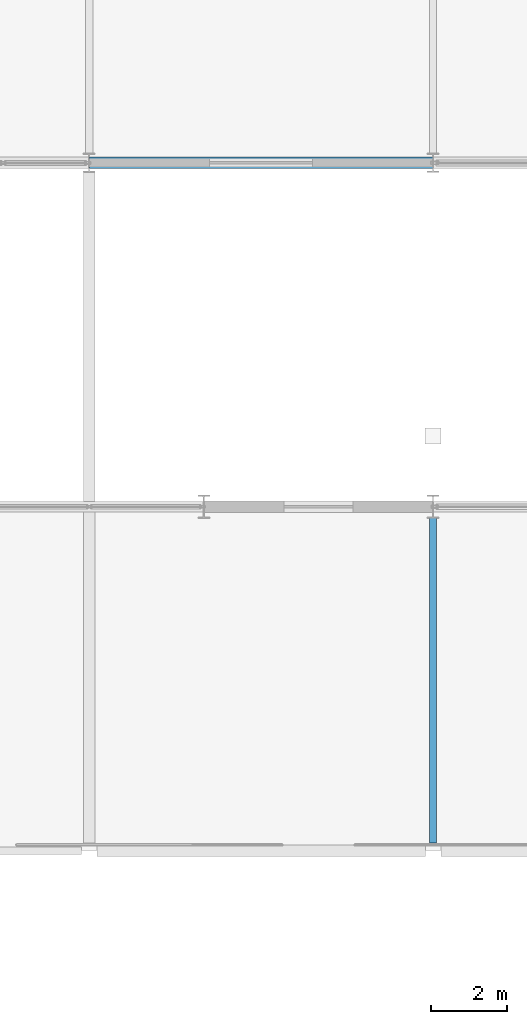
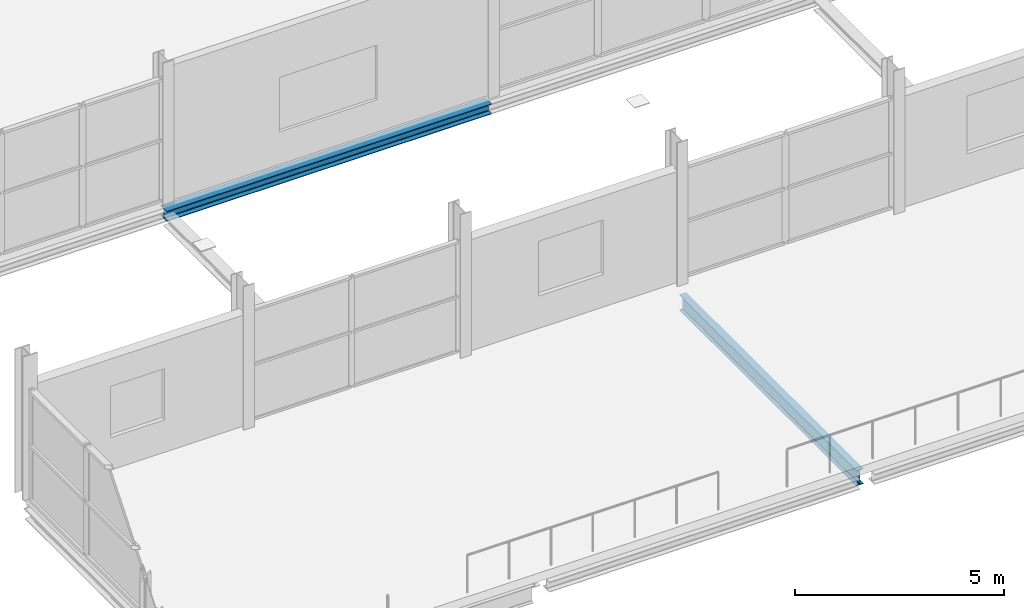
# One storey, part 40 of 135: 2 beams.
"""IFC4 building model written with IfcOpenShell, lengths in metres."""

import ifcopenshell
import ifcopenshell.guid

model = None  # the IFC model being written
_history = None  # IfcOwnerHistory: only IFC2X3 demands one
_inside = {}  # id of a spatial element -> (the spatial element, [elements in it])
_under = {}  # id of a project, library or spatial element -> (it, [spatial elements below it])
_declared = {}  # id of a project -> (the project, [libraries it declares])
_typed = {}  # id of a type object -> (the type object, [elements of that type])
_made_of = {}  # id of a material, layer set ... -> (it, [elements and type objects made of it])


def new_model(schema):
    """Start an empty IFC model of exactly this schema.

    Asked for "IFC4X3", IfcOpenShell would pick the latest addendum, in which some entities
    have other attributes; the version numbers below select the first issue.
    IFC2X3 requires an IfcOwnerHistory on every rooted entity: one is made here for all.
    """
    global model, _history
    if schema == "IFC4X3":
        model = ifcopenshell.file(schema_version=(4, 3, 0, 0))
    else:
        model = ifcopenshell.file(schema=schema)
    _inside.clear()
    _under.clear()
    _declared.clear()
    _typed.clear()
    _made_of.clear()
    _history = None
    if model.schema == "IFC2X3":
        org = make("IfcOrganization", Name="unknown")
        user = make(
            "IfcPersonAndOrganization",
            ThePerson=make("IfcPerson", FamilyName="unknown"),
            TheOrganization=org,
        )
        app = make(
            "IfcApplication",
            ApplicationDeveloper=org,
            Version="unknown",
            ApplicationFullName="unknown",
            ApplicationIdentifier="unknown",
        )
        _history = make(
            "IfcOwnerHistory",
            OwningUser=user,
            OwningApplication=app,
            ChangeAction="ADDED",
            CreationDate=0,
        )
    return model


def make(cls, **values):
    """One entity of the class cls with the attributes given. An attribute that is None is left unset."""
    return model.create_entity(
        cls, **{name: value for name, value in values.items() if value is not None}
    )


def rooted(cls, **values):
    """An entity with a GlobalId (a new one), such as an element, a storey or a relation."""
    return make(cls, GlobalId=ifcopenshell.guid.new(), OwnerHistory=_history, **values)


def si_unit(unit_type, name, prefix=None):
    """IfcSIUnit, for example si_unit("LENGTHUNIT", "METRE", prefix="MILLI")."""
    return make("IfcSIUnit", UnitType=unit_type, Prefix=prefix, Name=name)


def assignment(units):
    """IfcUnitAssignment: the units of a project."""
    return None if units is None else make("IfcUnitAssignment", Units=units)


def point(xyz):
    """IfcCartesianPoint."""
    return None if xyz is None else make("IfcCartesianPoint", Coordinates=xyz)


def direction(xyz):
    """IfcDirection."""
    return None if xyz is None else make("IfcDirection", DirectionRatios=xyz)


def frame(location, z_axis=None, x_axis=None):
    """IfcAxis2Placement3D, a coordinate frame: its origin and axes. An axis left out is left unset."""
    return make(
        "IfcAxis2Placement3D",
        Location=point(location),
        Axis=direction(z_axis),
        RefDirection=direction(x_axis),
    )


def frame_2d(location, x_axis=None):
    """IfcAxis2Placement2D, a coordinate frame in the plane: its origin and x axis."""
    return make(
        "IfcAxis2Placement2D", Location=point(location), RefDirection=direction(x_axis)
    )


def origin():
    """The frame at (0, 0, 0) with its axes left unset."""
    return frame((0.0, 0.0, 0.0))


def origin_2d():
    """The frame at (0, 0) in the plane with its x axis left unset."""
    return frame_2d((0.0, 0.0))


def place(relative_to, where):
    """IfcLocalPlacement: puts the frame where relative to a parent placement (None: the world)."""
    return make(
        "IfcLocalPlacement", PlacementRelTo=relative_to, RelativePlacement=where
    )


def context(
    kind, dimensions, precision=None, world=None, true_north=None, identifier=None
):
    """IfcGeometricRepresentationContext, for example the 3D "Model" context."""
    return make(
        "IfcGeometricRepresentationContext",
        ContextIdentifier=identifier,
        ContextType=kind,
        CoordinateSpaceDimension=dimensions,
        Precision=precision,
        WorldCoordinateSystem=world,
        TrueNorth=true_north,
    )


def subcontext(parent, identifier, kind, view, scale=None):
    """IfcGeometricRepresentationSubContext, for example "Body" below "Model"."""
    return make(
        "IfcGeometricRepresentationSubContext",
        ContextIdentifier=identifier,
        ContextType=kind,
        ParentContext=parent,
        TargetScale=scale,
        TargetView=view,
    )


def project(units=None, contexts=None):
    """IfcProject with its units and contexts."""
    return rooted(
        "IfcProject",
        Name="project",
        RepresentationContexts=contexts,
        UnitsInContext=assignment(units),
    )


def spatial(cls, under=None, at=None, **own):
    """A site, building, storey or space (cls), placed at a placement, below another one or the project."""
    s = rooted(cls, ObjectPlacement=at, **own)
    if under is not None:
        _under.setdefault(under.id(), (under, []))[1].append(s)
    return s


def profile(cls, at=None, kind="AREA", **sizes):
    """A parametric profile (cls). Its sizes go by their IFC names, for example OverallWidth=200.0."""
    return make(cls, ProfileType=kind, Position=at, **sizes)


def i_section(**sizes):
    """IfcIShapeProfileDef."""
    return profile("IfcIShapeProfileDef", **sizes)


def extrude(swept, where, along, depth):
    """IfcExtrudedAreaSolid: the profile swept, set in the frame where, extruded along a direction by depth."""
    return make(
        "IfcExtrudedAreaSolid",
        SweptArea=swept,
        Position=where,
        ExtrudedDirection=direction(along),
        Depth=depth,
    )


def shape(context_of_items, identifier, shape_type, items):
    """IfcShapeRepresentation: the items that make up one representation, for example the "Body"."""
    return make(
        "IfcShapeRepresentation",
        ContextOfItems=context_of_items,
        RepresentationIdentifier=identifier,
        RepresentationType=shape_type,
        Items=items,
    )


def material(Name=None, Category=None):
    """IfcMaterial."""
    return make("IfcMaterial", Name=Name, Category=Category)


def material_profile(
    of_material, cross_section, Name=None, Category=None, Priority=None
):
    """IfcMaterialProfile: a cross section and its material."""
    return make(
        "IfcMaterialProfile",
        Name=Name,
        Material=of_material,
        Profile=cross_section,
        Priority=Priority,
        Category=Category,
    )


def profile_set(profiles, Name=None, composite=None):
    """IfcMaterialProfileSet."""
    return make(
        "IfcMaterialProfileSet",
        Name=Name,
        MaterialProfiles=profiles,
        CompositeProfile=composite,
    )


def made_of(thing, what):
    """Note that an element or type object is made of a material, layer set ...; save() writes the relation."""
    if what is not None:
        _made_of.setdefault(what.id(), (what, []))[1].append(thing)
    return thing


def type_object(cls, material=None, **own):
    """A type object (cls), such as IfcWallType, which elements share."""
    return made_of(rooted(cls, **own), material)


def element(
    cls,
    number,
    at=None,
    inside=None,
    cuts=None,
    type_object=None,
    material=None,
    context=None,
    identifier="Body",
    shape_type=None,
    held_by="IfcProductDefinitionShape",
    body=None,
    shapes=None,
    **own,
):
    """One element of the class cls, such as IfcWall. Its Tag is "e" and its number.

    at: its placement. inside: the storey or other place that contains it. cuts: it is an
    opening in that element (IfcRelVoidsElement). A single representation is given by context,
    identifier, shape_type and body (its items); several are given by shapes. held_by: the class
    of the entity that holds the representations. save() writes the other relations.
    """
    e = rooted(cls, Tag="e%d" % number, ObjectPlacement=at, **own)
    if body is not None:
        shapes = [shape(context, identifier, shape_type, body)]
    if shapes is not None:
        e.Representation = make(held_by, Representations=shapes)
    if inside is not None:
        _inside.setdefault(inside.id(), (inside, []))[1].append(e)
    if cuts is not None:
        rooted(
            "IfcRelVoidsElement", RelatingBuildingElement=cuts, RelatedOpeningElement=e
        )
    if type_object is not None:
        _typed.setdefault(type_object.id(), (type_object, []))[1].append(e)
    return made_of(e, material)


def aggregate(whole, parts):
    """IfcRelAggregates: a whole, such as a stair, and the parts it consists of."""
    return rooted("IfcRelAggregates", RelatingObject=whole, RelatedObjects=parts)


def save(model, path):
    """Write the relations noted so far, then the file.

    IfcRelAggregates (storeys below a building ...), IfcRelContainedInSpatialStructure (elements
    in a storey), IfcRelDefinesByType, IfcRelAssociatesMaterial and IfcRelDeclares: one each for
    every whole, place, type object, material and project.
    """
    for whole, parts in _under.values():
        aggregate(whole, parts)
    for where, things in _inside.values():
        rooted(
            "IfcRelContainedInSpatialStructure",
            RelatedElements=things,
            RelatingStructure=where,
        )
    for kind, things in _typed.values():
        rooted("IfcRelDefinesByType", RelatedObjects=things, RelatingType=kind)
    for what, things in _made_of.values():
        rooted("IfcRelAssociatesMaterial", RelatedObjects=things, RelatingMaterial=what)
    for by, libraries in _declared.values():
        rooted("IfcRelDeclares", RelatingContext=by, RelatedDefinitions=libraries)
    model.write(path)


model = new_model("IFC4")

# Units and contexts
model_context = context("Model", 3, precision=1e-05, world=origin(), true_north=direction((0.0, 1.0)))
body_context = subcontext(model_context, "Body", "Model", "MODEL_VIEW")
ifc_project = project(units=[si_unit("LENGTHUNIT", "METRE"), si_unit("AREAUNIT", "SQUARE_METRE"), si_unit("VOLUMEUNIT", "CUBIC_METRE"), si_unit("PLANEANGLEUNIT", "RADIAN"), si_unit("MASSUNIT", "GRAM", prefix="KILO")], contexts=[model_context])

# Site, building, storey
site_placement = place(None, origin())
site = spatial("IfcSite", under=ifc_project, at=site_placement, CompositionType="ELEMENT")
building_placement = place(site_placement, origin())
building = spatial("IfcBuilding", under=site, at=building_placement, Name="Deido Ridge Mobility Hub", CompositionType="ELEMENT")
storey_placement = place(building_placement, frame((0.0, 0.0, 4.199951171875)))
storey = spatial("IfcBuildingStorey", under=building, at=storey_placement, Name="L01", CompositionType="ELEMENT", Elevation=4.199951171875)

# Beams
ifc_material = material(Name="Steel S355J2 EN 10025-2", Category="steel")
ifc_material_profile_1 = material_profile(ifc_material, i_section(OverallWidth=0.18994140625, OverallDepth=0.449951171875, WebThickness=0.009521484375, FlangeThickness=0.0146484375, FilletRadius=0.02099609375, at=origin_2d()), Name="IPE 450")
ifc_profile_set_1 = profile_set([ifc_material_profile_1], Name="Steel S355J2 EN 10025-2")
beam_type_1 = type_object("IfcBeamType", Name="BM-IPE450", PredefinedType="BEAM", material=ifc_profile_set_1)
beam_1_placement = place(storey_placement, frame((18.0, 27.203125, -0.474853515625), z_axis=(0.0, 1.0, 0.0), x_axis=(-1.0, 0.0, 0.0)))
element("IfcBeam", 1, at=beam_1_placement, inside=storey, type_object=beam_type_1, Name="Floor beam B4", PredefinedType="BEAM", context=body_context, shape_type="SweptSolid", body=[
    extrude(i_section(OverallWidth=0.18994140625, OverallDepth=0.449951171875, WebThickness=0.009521484375, FlangeThickness=0.0146484375, FilletRadius=0.02099609375, at=origin_2d()), origin(), (0.0, 0.0, 1.0), 8.496826171875),
])
ifc_material_profile_2 = material_profile(ifc_material, i_section(OverallWidth=0.300048828125, OverallDepth=0.300048828125, WebThickness=0.010986328125, FlangeThickness=0.01904296875, FilletRadius=0.027099609375, at=origin_2d()), Name="HEB 300")
ifc_profile_set_2 = profile_set([ifc_material_profile_2], Name="Steel S355J2 EN 10025-2")
beam_type_2 = type_object("IfcBeamType", Name="SPD-HEB300", PredefinedType="SPANDREL", material=ifc_profile_set_2)
beam_2_placement = place(storey_placement, frame((9.00732421875, 45.0, -0.39990234375), z_axis=(1.0, 0.0, 0.0), x_axis=(0.0, 1.0, 0.0)))
element("IfcBeam", 2, at=beam_2_placement, inside=storey, type_object=beam_type_2, Name="Floor beam SP1", PredefinedType="SPANDREL", context=body_context, shape_type="SweptSolid", body=[
    extrude(i_section(OverallWidth=0.300048828125, OverallDepth=0.300048828125, WebThickness=0.010986328125, FlangeThickness=0.01904296875, FilletRadius=0.027099609375, at=origin_2d()), origin(), (0.0, 0.0, 1.0), 8.985595703125),
])

save(model, "model.ifc")
